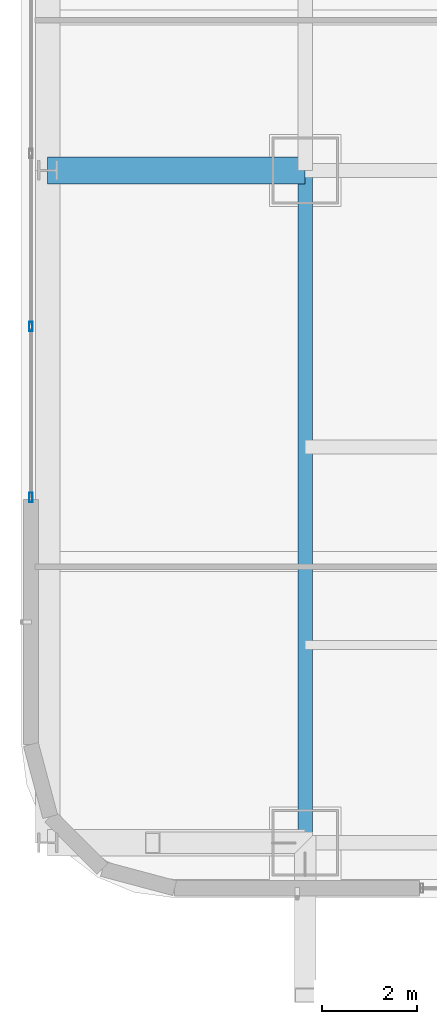
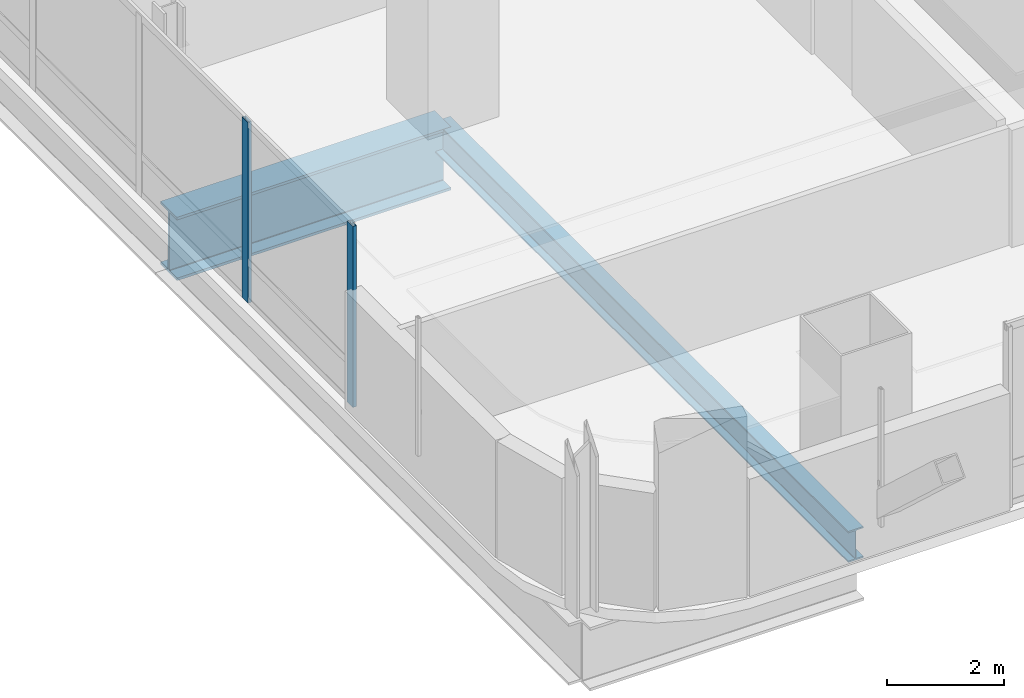
# One storey, part 4 of 47: 2 beams, 2 members, 1 element without a shape of its own.
"""IFC4 building model written with IfcOpenShell, lengths in metres."""

from ifc_helpers import new_model, si_unit, direction, frame, origin, origin_2d, place, context, subcontext, project, spatial, hollow_rectangle, i_section, extrude, material, material_profile, profile_set, type_object, element, aggregate, save


model = new_model("IFC4")

# Units and contexts
model_context = context("Model", 3, precision=1e-05, world=origin(), true_north=direction((0.0, 1.0)))
body_context = subcontext(model_context, "Body", "Model", "MODEL_VIEW")
ifc_project = project(units=[si_unit("LENGTHUNIT", "METRE"), si_unit("AREAUNIT", "SQUARE_METRE"), si_unit("VOLUMEUNIT", "CUBIC_METRE"), si_unit("PLANEANGLEUNIT", "RADIAN"), si_unit("MASSUNIT", "GRAM", prefix="KILO")], contexts=[model_context])

# Site, building, storey
site_placement = place(None, origin())
site = spatial("IfcSite", under=ifc_project, at=site_placement, CompositionType="ELEMENT")
building_placement = place(site_placement, origin())
building = spatial("IfcBuilding", under=site, at=building_placement, Name="Punatoya Terracotta Tower", CompositionType="ELEMENT")
storey_placement = place(building_placement, frame((0.0, 0.0, 168.14990234375)))
storey = spatial("IfcBuildingStorey", under=building, at=storey_placement, Name="L39", CompositionType="ELEMENT", Elevation=168.14990234375)

# Beams
ifc_material_1 = material(Name="Steel S355", Category="steel")
ifc_material_profile_1 = material_profile(ifc_material_1, i_section(OverallWidth=0.300048828125, OverallDepth=0.64990234375, WebThickness=0.01611328125, FlangeThickness=0.031005859375, FilletRadius=0.01806640625, at=origin_2d()))
ifc_profile_set_1 = profile_set([ifc_material_profile_1], Name="Steel S355")
beam_type_1 = type_object("IfcBeamType", Name="BM-PRI-650", PredefinedType="BEAM", material=ifc_profile_set_1)
beam_1_placement = place(storey_placement, frame((-19.10009765625, -17.5, -0.544921875), z_axis=(0.0, 1.0, 0.0), x_axis=(-1.0, 0.0, 0.0)))
element("IfcBeam", 1, at=beam_1_placement, inside=storey, type_object=beam_type_1, Name="BM-L39-RG-W1", PredefinedType="BEAM", context=body_context, shape_type="SweptSolid", body=[
    extrude(i_section(OverallWidth=0.300048828125, OverallDepth=0.64990234375, WebThickness=0.01611328125, FlangeThickness=0.031005859375, FilletRadius=0.01806640625, at=origin_2d()), origin(), (0.0, 0.0, 1.0), 14.10009765625),
])
ifc_material_2 = material(Name="Steel S460", Category="steel")
ifc_material_profile_2 = material_profile(ifc_material_2, i_section(OverallWidth=0.56005859375, OverallDepth=1.320068359375, WebThickness=0.035888671875, FlangeThickness=0.054931640625, FilletRadius=0.01806640625, at=origin_2d()))
ifc_profile_set_2 = profile_set([ifc_material_profile_2], Name="Steel S460")
beam_type_2 = type_object("IfcBeamType", Name="BM-TG-BLK", PredefinedType="BEAM", material=ifc_profile_set_2)
beam_2_placement = place(storey_placement, frame((-24.5, -3.39990234375, -0.8798828125), z_axis=(1.0, 0.0, 0.0), x_axis=(0.0, 1.0, 0.0)))
element("IfcBeam", 2, at=beam_2_placement, inside=storey, type_object=beam_type_2, Name="BM-L39-CANT-W2", PredefinedType="BEAM", context=body_context, shape_type="SweptSolid", body=[
    extrude(i_section(OverallWidth=0.56005859375, OverallDepth=1.320068359375, WebThickness=0.035888671875, FlangeThickness=0.054931640625, FilletRadius=0.01806640625, at=origin_2d()), origin(), (0.0, 0.0, 1.0), 5.39990234375),
])

# Curtain wall, members
ifc_material_3 = material(Name="Aluminium 6063-T6 + Double Low-E Glass", Category="aluminium")
curtain_wall_type = type_object("IfcCurtainWallType", Name="CW-M2", PredefinedType="NOTDEFINED", material=ifc_material_3)
curtain_wall_placement = place(storey_placement, origin())
curtain_wall = element("IfcCurtainWall", 3, at=curtain_wall_placement, inside=storey, type_object=curtain_wall_type, Name="L39 Curtain Wall CW-L39-W13-1", PredefinedType="NOTDEFINED")
ifc_material_4 = material(Name="Aluminium 6063-T6", Category="aluminium")
ifc_material_profile_3 = material_profile(ifc_material_4, hollow_rectangle(XDim=0.072021484375, YDim=0.195068359375, WallThickness=0.00439453125, at=origin_2d()))
ifc_profile_set_3 = profile_set([ifc_material_profile_3], Name="Aluminium 6063-T6")
member_type = type_object("IfcMemberType", Name="CW-MUL-M2", PredefinedType="MULLION", material=ifc_profile_set_3)
member_1_placement = place(storey_placement, frame((-24.85009765625, -6.67138671875, 0.0), z_axis=(0.0, 0.0, 1.0), x_axis=(1.0, 0.0, 0.0)))
member_1 = element("IfcMember", 4, at=member_1_placement, type_object=member_type, Name="CW-L39-W13-1 Mullion 06", PredefinedType="MULLION", context=body_context, shape_type="SweptSolid", body=[
    extrude(hollow_rectangle(XDim=0.072021484375, YDim=0.195068359375, WallThickness=0.00439453125, at=origin_2d()), origin(), (0.0, 0.0, 1.0), 3.77001953125),
])
member_2_placement = place(storey_placement, frame((-24.85009765625, -10.2548828125, 0.0), z_axis=(0.0, 0.0, 1.0), x_axis=(1.0, 0.0, 0.0)))
member_2 = element("IfcMember", 5, at=member_2_placement, type_object=member_type, Name="CW-L39-W13-1 Mullion 07", PredefinedType="MULLION", context=body_context, shape_type="SweptSolid", body=[
    extrude(hollow_rectangle(XDim=0.072021484375, YDim=0.195068359375, WallThickness=0.00439453125, at=origin_2d()), origin(), (0.0, 0.0, 1.0), 3.77001953125),
])
aggregate(curtain_wall, [member_1, member_2])

save(model, "model.ifc")
